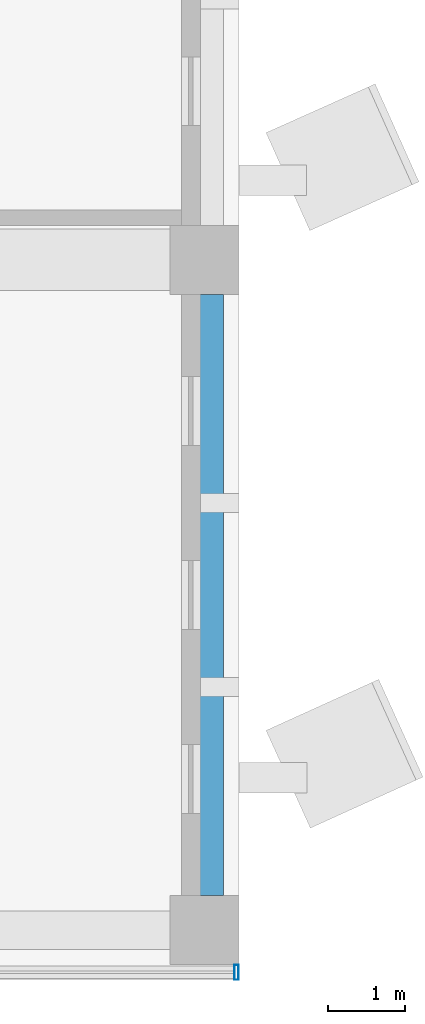
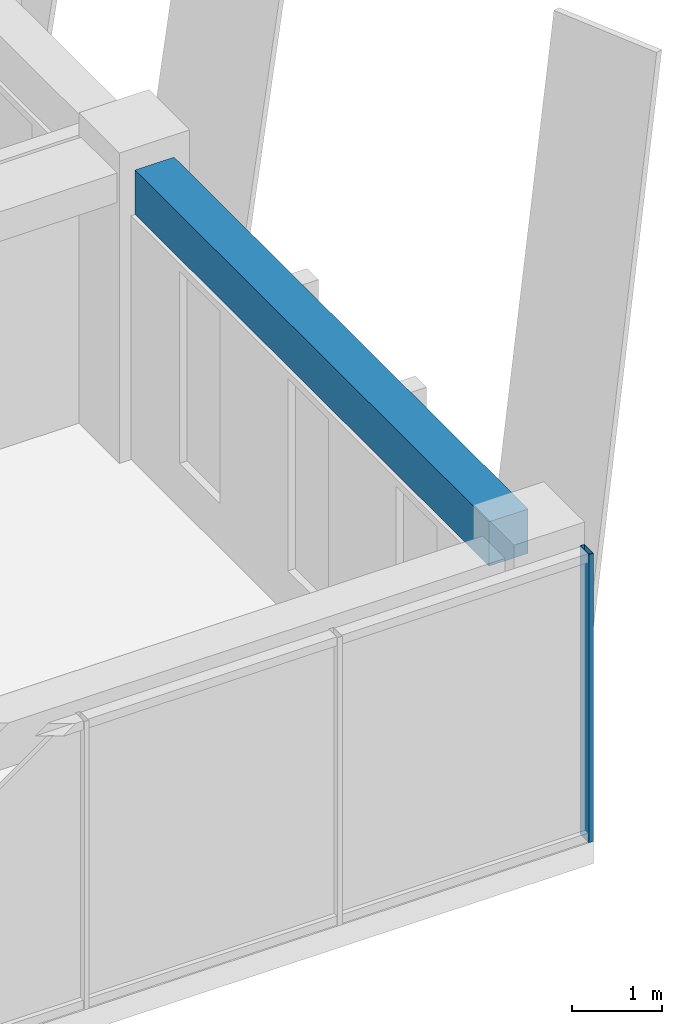
# One storey, part 14 of 36: 1 beam, 1 member, 1 element without a shape of its own.
"""IFC4 building model written with IfcOpenShell, lengths in metres."""

from ifc_helpers import new_model, si_unit, direction, frame, origin, origin_2d, place, context, subcontext, project, spatial, rectangle, hollow_rectangle, extrude, material, layer, layer_set, material_profile, profile_set, type_object, element, aggregate, save


model = new_model("IFC4")

# Units and contexts
model_context = context("Model", 3, precision=1e-05, world=origin(), true_north=direction((0.0, 1.0)))
body_context = subcontext(model_context, "Body", "Model", "MODEL_VIEW")
ifc_project = project(units=[si_unit("LENGTHUNIT", "METRE"), si_unit("AREAUNIT", "SQUARE_METRE"), si_unit("VOLUMEUNIT", "CUBIC_METRE"), si_unit("PLANEANGLEUNIT", "RADIAN"), si_unit("MASSUNIT", "GRAM", prefix="KILO")], contexts=[model_context])

# Site, building, storey
site_placement = place(None, origin())
site = spatial("IfcSite", under=ifc_project, at=site_placement, CompositionType="ELEMENT")
building_placement = place(site_placement, origin())
building = spatial("IfcBuilding", under=site, at=building_placement, Name="Nzadi Deep Aquarium and Research Tower", CompositionType="ELEMENT")
storey_placement = place(building_placement, frame((0.0, 0.0, 40.300048828125)))
storey = spatial("IfcBuildingStorey", under=building, at=storey_placement, Name="L07", CompositionType="ELEMENT", Elevation=40.300048828125)

# Curtain wall, member
ifc_material_1 = material(Name="Aluminium unitised frame", Category="aluminium")
ifc_layer = layer(ifc_material_1, 0.199951171875)
ifc_layer_set = layer_set([ifc_layer], Name="Aluminium unitised frame")
curtain_wall_type = type_object("IfcCurtainWallType", Name="Curtain wall Unitised 200", PredefinedType="NOTDEFINED", material=ifc_layer_set)
curtain_wall_placement = place(storey_placement, origin())
curtain_wall = element("IfcCurtainWall", 1, at=curtain_wall_placement, inside=storey, type_object=curtain_wall_type, Name="Unitised curtain wall blade A south L07", PredefinedType="NOTDEFINED")
ifc_material_2 = material(Name="Aluminium unitised frame", Category="aluminium")
ifc_material_profile_1 = material_profile(ifc_material_2, hollow_rectangle(XDim=0.199951171875, YDim=0.06005859375, WallThickness=0.0048828125, at=origin_2d()))
ifc_profile_set_1 = profile_set([ifc_material_profile_1], Name="Aluminium unitised frame")
member_type = type_object("IfcMemberType", Name="Mullion 60x200 Unitised", PredefinedType="MULLION", material=ifc_profile_set_1)
member_placement = place(storey_placement, frame((48.419921875, -0.10009765625, 0.0), z_axis=(0.0, 0.0, 1.0), x_axis=(0.0, 1.0, 0.0)))
member = element("IfcMember", 2, at=member_placement, type_object=member_type, Name="CW015 mullion 16", PredefinedType="MULLION", context=body_context, shape_type="SweptSolid", body=[
    extrude(hollow_rectangle(XDim=0.199951171875, YDim=0.06005859375, WallThickness=0.0048828125, at=origin_2d()), origin(), (0.0, 0.0, 1.0), 3.89990234375),
])
aggregate(curtain_wall, [member])

# Beam
ifc_material_3 = material(Name="Concrete C35/45", Category="concrete")
ifc_material_profile_2 = material_profile(ifc_material_3, rectangle(XDim=0.5, YDim=0.60009765625, at=origin_2d()))
ifc_profile_set_2 = profile_set([ifc_material_profile_2], Name="Concrete C35/45")
beam_type = type_object("IfcBeamType", Name="RC 500x600", PredefinedType="BEAM", material=ifc_profile_set_2)
beam_placement = place(storey_placement, frame((48.0, 0.89990234375, 3.599853515625), z_axis=(0.0, 1.0, 0.0), x_axis=(-1.0, 0.0, 0.0)))
element("IfcBeam", 3, at=beam_placement, inside=storey, type_object=beam_type, Name="B-Z1-L07-CF-1-1", PredefinedType="BEAM", context=body_context, shape_type="SweptSolid", body=[
    extrude(rectangle(XDim=0.5, YDim=0.60009765625, at=origin_2d()), origin(), (0.0, 0.0, 1.0), 7.85009765625),
])

save(model, "model.ifc")
